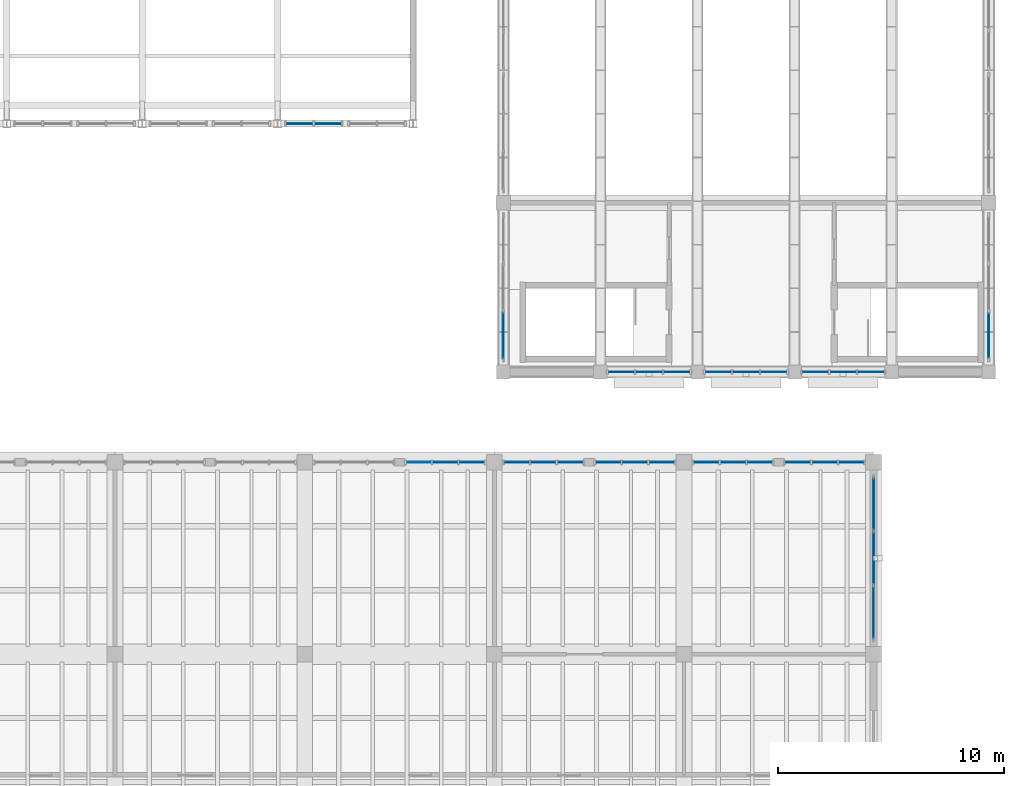
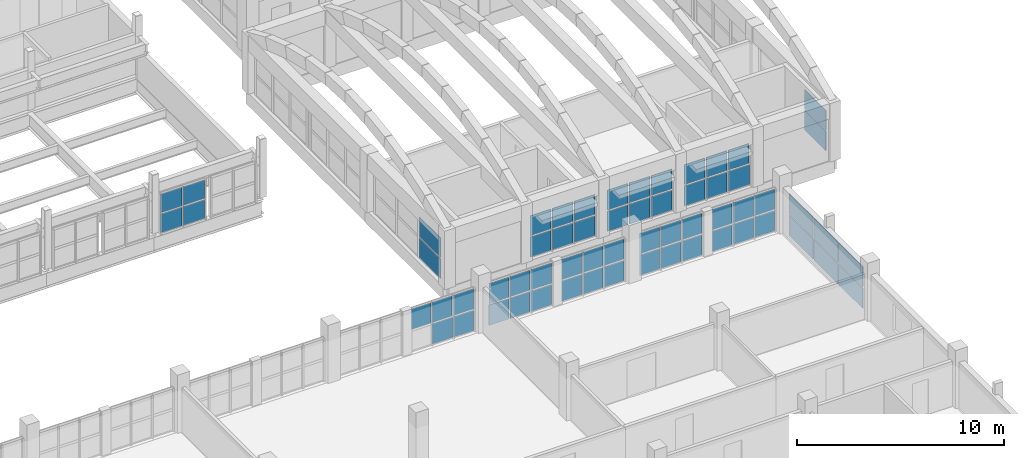
# One storey, part 54 of 77: 61 plates, 12 elements without a shape of their own.
"""IFC4 building model written with IfcOpenShell, lengths in metres."""

import ifcopenshell
import ifcopenshell.guid

model = None  # the IFC model being written
_history = None  # IfcOwnerHistory: only IFC2X3 demands one
_inside = {}  # id of a spatial element -> (the spatial element, [elements in it])
_under = {}  # id of a project, library or spatial element -> (it, [spatial elements below it])
_declared = {}  # id of a project -> (the project, [libraries it declares])
_typed = {}  # id of a type object -> (the type object, [elements of that type])
_made_of = {}  # id of a material, layer set ... -> (it, [elements and type objects made of it])


def new_model(schema):
    """Start an empty IFC model of exactly this schema.

    Asked for "IFC4X3", IfcOpenShell would pick the latest addendum, in which some entities
    have other attributes; the version numbers below select the first issue.
    IFC2X3 requires an IfcOwnerHistory on every rooted entity: one is made here for all.
    """
    global model, _history
    if schema == "IFC4X3":
        model = ifcopenshell.file(schema_version=(4, 3, 0, 0))
    else:
        model = ifcopenshell.file(schema=schema)
    _inside.clear()
    _under.clear()
    _declared.clear()
    _typed.clear()
    _made_of.clear()
    _history = None
    if model.schema == "IFC2X3":
        org = make("IfcOrganization", Name="unknown")
        user = make(
            "IfcPersonAndOrganization",
            ThePerson=make("IfcPerson", FamilyName="unknown"),
            TheOrganization=org,
        )
        app = make(
            "IfcApplication",
            ApplicationDeveloper=org,
            Version="unknown",
            ApplicationFullName="unknown",
            ApplicationIdentifier="unknown",
        )
        _history = make(
            "IfcOwnerHistory",
            OwningUser=user,
            OwningApplication=app,
            ChangeAction="ADDED",
            CreationDate=0,
        )
    return model


def make(cls, **values):
    """One entity of the class cls with the attributes given. An attribute that is None is left unset."""
    return model.create_entity(
        cls, **{name: value for name, value in values.items() if value is not None}
    )


def rooted(cls, **values):
    """An entity with a GlobalId (a new one), such as an element, a storey or a relation."""
    return make(cls, GlobalId=ifcopenshell.guid.new(), OwnerHistory=_history, **values)


def si_unit(unit_type, name, prefix=None):
    """IfcSIUnit, for example si_unit("LENGTHUNIT", "METRE", prefix="MILLI")."""
    return make("IfcSIUnit", UnitType=unit_type, Prefix=prefix, Name=name)


def assignment(units):
    """IfcUnitAssignment: the units of a project."""
    return None if units is None else make("IfcUnitAssignment", Units=units)


def point(xyz):
    """IfcCartesianPoint."""
    return None if xyz is None else make("IfcCartesianPoint", Coordinates=xyz)


def direction(xyz):
    """IfcDirection."""
    return None if xyz is None else make("IfcDirection", DirectionRatios=xyz)


def frame(location, z_axis=None, x_axis=None):
    """IfcAxis2Placement3D, a coordinate frame: its origin and axes. An axis left out is left unset."""
    return make(
        "IfcAxis2Placement3D",
        Location=point(location),
        Axis=direction(z_axis),
        RefDirection=direction(x_axis),
    )


def frame_2d(location, x_axis=None):
    """IfcAxis2Placement2D, a coordinate frame in the plane: its origin and x axis."""
    return make(
        "IfcAxis2Placement2D", Location=point(location), RefDirection=direction(x_axis)
    )


def origin():
    """The frame at (0, 0, 0) with its axes left unset."""
    return frame((0.0, 0.0, 0.0))


def origin_2d():
    """The frame at (0, 0) in the plane with its x axis left unset."""
    return frame_2d((0.0, 0.0))


def place(relative_to, where):
    """IfcLocalPlacement: puts the frame where relative to a parent placement (None: the world)."""
    return make(
        "IfcLocalPlacement", PlacementRelTo=relative_to, RelativePlacement=where
    )


def context(
    kind, dimensions, precision=None, world=None, true_north=None, identifier=None
):
    """IfcGeometricRepresentationContext, for example the 3D "Model" context."""
    return make(
        "IfcGeometricRepresentationContext",
        ContextIdentifier=identifier,
        ContextType=kind,
        CoordinateSpaceDimension=dimensions,
        Precision=precision,
        WorldCoordinateSystem=world,
        TrueNorth=true_north,
    )


def subcontext(parent, identifier, kind, view, scale=None):
    """IfcGeometricRepresentationSubContext, for example "Body" below "Model"."""
    return make(
        "IfcGeometricRepresentationSubContext",
        ContextIdentifier=identifier,
        ContextType=kind,
        ParentContext=parent,
        TargetScale=scale,
        TargetView=view,
    )


def project(units=None, contexts=None):
    """IfcProject with its units and contexts."""
    return rooted(
        "IfcProject",
        Name="project",
        RepresentationContexts=contexts,
        UnitsInContext=assignment(units),
    )


def spatial(cls, under=None, at=None, **own):
    """A site, building, storey or space (cls), placed at a placement, below another one or the project."""
    s = rooted(cls, ObjectPlacement=at, **own)
    if under is not None:
        _under.setdefault(under.id(), (under, []))[1].append(s)
    return s


def profile(cls, at=None, kind="AREA", **sizes):
    """A parametric profile (cls). Its sizes go by their IFC names, for example OverallWidth=200.0."""
    return make(cls, ProfileType=kind, Position=at, **sizes)


def rectangle(**sizes):
    """IfcRectangleProfileDef."""
    return profile("IfcRectangleProfileDef", **sizes)


def extrude(swept, where, along, depth):
    """IfcExtrudedAreaSolid: the profile swept, set in the frame where, extruded along a direction by depth."""
    return make(
        "IfcExtrudedAreaSolid",
        SweptArea=swept,
        Position=where,
        ExtrudedDirection=direction(along),
        Depth=depth,
    )


def shape(context_of_items, identifier, shape_type, items):
    """IfcShapeRepresentation: the items that make up one representation, for example the "Body"."""
    return make(
        "IfcShapeRepresentation",
        ContextOfItems=context_of_items,
        RepresentationIdentifier=identifier,
        RepresentationType=shape_type,
        Items=items,
    )


def material(Name=None, Category=None):
    """IfcMaterial."""
    return make("IfcMaterial", Name=Name, Category=Category)


def layer(
    of_material, thickness, ventilated=None, Name=None, Category=None, Priority=None
):
    """IfcMaterialLayer: one layer of a wall or slab, of a material (None: an air gap)."""
    return make(
        "IfcMaterialLayer",
        Material=of_material,
        LayerThickness=thickness,
        IsVentilated=ventilated,
        Name=Name,
        Category=Category,
        Priority=Priority,
    )


def layer_set(layers, Name=None):
    """IfcMaterialLayerSet."""
    return make("IfcMaterialLayerSet", MaterialLayers=layers, LayerSetName=Name)


def made_of(thing, what):
    """Note that an element or type object is made of a material, layer set ...; save() writes the relation."""
    if what is not None:
        _made_of.setdefault(what.id(), (what, []))[1].append(thing)
    return thing


def type_object(cls, material=None, **own):
    """A type object (cls), such as IfcWallType, which elements share."""
    return made_of(rooted(cls, **own), material)


def element(
    cls,
    number,
    at=None,
    inside=None,
    cuts=None,
    type_object=None,
    material=None,
    context=None,
    identifier="Body",
    shape_type=None,
    held_by="IfcProductDefinitionShape",
    body=None,
    shapes=None,
    **own,
):
    """One element of the class cls, such as IfcWall. Its Tag is "e" and its number.

    at: its placement. inside: the storey or other place that contains it. cuts: it is an
    opening in that element (IfcRelVoidsElement). A single representation is given by context,
    identifier, shape_type and body (its items); several are given by shapes. held_by: the class
    of the entity that holds the representations. save() writes the other relations.
    """
    e = rooted(cls, Tag="e%d" % number, ObjectPlacement=at, **own)
    if body is not None:
        shapes = [shape(context, identifier, shape_type, body)]
    if shapes is not None:
        e.Representation = make(held_by, Representations=shapes)
    if inside is not None:
        _inside.setdefault(inside.id(), (inside, []))[1].append(e)
    if cuts is not None:
        rooted(
            "IfcRelVoidsElement", RelatingBuildingElement=cuts, RelatedOpeningElement=e
        )
    if type_object is not None:
        _typed.setdefault(type_object.id(), (type_object, []))[1].append(e)
    return made_of(e, material)


def aggregate(whole, parts):
    """IfcRelAggregates: a whole, such as a stair, and the parts it consists of."""
    return rooted("IfcRelAggregates", RelatingObject=whole, RelatedObjects=parts)


def save(model, path):
    """Write the relations noted so far, then the file.

    IfcRelAggregates (storeys below a building ...), IfcRelContainedInSpatialStructure (elements
    in a storey), IfcRelDefinesByType, IfcRelAssociatesMaterial and IfcRelDeclares: one each for
    every whole, place, type object, material and project.
    """
    for whole, parts in _under.values():
        aggregate(whole, parts)
    for where, things in _inside.values():
        rooted(
            "IfcRelContainedInSpatialStructure",
            RelatedElements=things,
            RelatingStructure=where,
        )
    for kind, things in _typed.values():
        rooted("IfcRelDefinesByType", RelatedObjects=things, RelatingType=kind)
    for what, things in _made_of.values():
        rooted("IfcRelAssociatesMaterial", RelatedObjects=things, RelatingMaterial=what)
    for by, libraries in _declared.values():
        rooted("IfcRelDeclares", RelatingContext=by, RelatedDefinitions=libraries)
    model.write(path)


model = new_model("IFC4")

# Units and contexts
model_context = context("Model", 3, precision=1e-05, world=origin(), true_north=direction((0.0, 1.0)))
body_context = subcontext(model_context, "Body", "Model", "MODEL_VIEW")
ifc_project = project(units=[si_unit("LENGTHUNIT", "METRE"), si_unit("AREAUNIT", "SQUARE_METRE"), si_unit("VOLUMEUNIT", "CUBIC_METRE"), si_unit("PLANEANGLEUNIT", "RADIAN"), si_unit("MASSUNIT", "GRAM", prefix="KILO")], contexts=[model_context])

# Site, building, storey
site_placement = place(None, origin())
site = spatial("IfcSite", under=ifc_project, at=site_placement, CompositionType="ELEMENT")
building_placement = place(site_placement, origin())
building = spatial("IfcBuilding", under=site, at=building_placement, Name="Trellovar Central Fire Station", CompositionType="ELEMENT")
storey_placement = place(building_placement, frame((0.0, 0.0, 5.85009765625)))
storey = spatial("IfcBuildingStorey", under=building, at=storey_placement, Name="L02", CompositionType="ELEMENT", Elevation=5.85009765625)

# Curtain wall, plate
ifc_material_1 = material(Name="Thermally broken bronze anodized aluminum", Category="aluminium")
ifc_layer_1 = layer(ifc_material_1, 0.159912109375)
ifc_layer_set_1 = layer_set([ifc_layer_1], Name="Thermally broken bronze anodized aluminum")
curtain_wall_type_1 = type_object("IfcCurtainWallType", Name="CW-09", PredefinedType="NOTDEFINED", material=ifc_layer_set_1)
curtain_wall_1_placement = place(storey_placement, origin())
curtain_wall_1 = element("IfcCurtainWall", 1, at=curtain_wall_1_placement, inside=storey, type_object=curtain_wall_type_1, Name="L02 curtain wall CW-9", PredefinedType="NOTDEFINED")
ifc_material_2 = material(Name="Double low-E solar control insulated glazing", Category="glass")
ifc_layer_2 = layer(ifc_material_2, 0.031982421875)
ifc_layer_set_2 = layer_set([ifc_layer_2], Name="Double low-E solar control insulated glazing")
plate_type_1 = type_object("IfcPlateType", Name="CWP-GL1", PredefinedType="CURTAIN_PANEL", material=ifc_layer_set_2)
plate_1_placement = place(storey_placement, frame((135.74169921875, 33.0, 1.31494140625), z_axis=(0.0, 0.0, 1.0), x_axis=(-1.0, 0.0, 0.0)))
plate_1 = element("IfcPlate", 2, at=plate_1_placement, type_object=plate_type_1, Name="CW3-L02-0065 panel 3-2", PredefinedType="CURTAIN_PANEL", context=body_context, shape_type="SweptSolid", body=[
    extrude(rectangle(XDim=1.103271484375, YDim=0.031982421875, at=origin_2d()), origin(), (0.0, 0.0, 1.0), 1.195068359375),
])

curtain_wall_2_placement = place(storey_placement, origin())
curtain_wall_2 = element("IfcCurtainWall", 3, at=curtain_wall_2_placement, inside=storey, type_object=curtain_wall_type_1, Name="L02 curtain wall CW-9", PredefinedType="NOTDEFINED")
plate_2_placement = place(storey_placement, frame((146.50830078125, 33.0, 1.31494140625), z_axis=(0.0, 0.0, 1.0), x_axis=(-1.0, 0.0, 0.0)))
plate_2 = element("IfcPlate", 4, at=plate_2_placement, type_object=plate_type_1, Name="CW3-L02-0067 panel 1-2", PredefinedType="CURTAIN_PANEL", context=body_context, shape_type="SweptSolid", body=[
    extrude(rectangle(XDim=1.103271484375, YDim=0.031982421875, at=origin_2d()), origin(), (0.0, 0.0, 1.0), 1.195068359375),
])

curtain_wall_3_placement = place(storey_placement, origin())
curtain_wall_3 = element("IfcCurtainWall", 5, at=curtain_wall_3_placement, inside=storey, type_object=curtain_wall_type_1, Name="L02 curtain wall CW-9", PredefinedType="NOTDEFINED")
plate_3_placement = place(storey_placement, frame((152.541748046875, 33.0, 1.31494140625), z_axis=(0.0, 0.0, 1.0), x_axis=(-1.0, 0.0, 0.0)))
plate_3 = element("IfcPlate", 6, at=plate_3_placement, type_object=plate_type_1, Name="CW3-L02-0069 panel 3-2", PredefinedType="CURTAIN_PANEL", context=body_context, shape_type="SweptSolid", body=[
    extrude(rectangle(XDim=1.103271484375, YDim=0.031982421875, at=origin_2d()), origin(), (0.0, 0.0, 1.0), 1.195068359375),
])

ifc_material_3 = material(Name="Thermally broken bronze anodized aluminum", Category="aluminium")
ifc_layer_3 = layer(ifc_material_3, 0.159912109375)
ifc_layer_set_3 = layer_set([ifc_layer_3], Name="Thermally broken bronze anodized aluminum")
curtain_wall_type_2 = type_object("IfcCurtainWallType", Name="CW-10", PredefinedType="NOTDEFINED", material=ifc_layer_set_3)
curtain_wall_4_placement = place(storey_placement, origin())
curtain_wall_4 = element("IfcCurtainWall", 7, at=curtain_wall_4_placement, inside=storey, type_object=curtain_wall_type_2, Name="L02 curtain wall CW-10", PredefinedType="NOTDEFINED")
plate_4_placement = place(storey_placement, frame((149.675048828125, 33.0, 1.31494140625), z_axis=(0.0, 0.0, 1.0), x_axis=(-1.0, 0.0, 0.0)))
plate_4 = element("IfcPlate", 8, at=plate_4_placement, type_object=plate_type_1, Name="CW3-L02-0070 panel 2-2", PredefinedType="CURTAIN_PANEL", context=body_context, shape_type="SweptSolid", body=[
    extrude(rectangle(XDim=1.103515625, YDim=0.031982421875, at=origin_2d()), origin(), (0.0, 0.0, 1.0), 1.195068359375),
])

ifc_material_4 = material(Name="Thermally broken bronze anodized aluminum", Category="aluminium")
ifc_layer_4 = layer(ifc_material_4, 0.159912109375)
ifc_layer_set_4 = layer_set([ifc_layer_4], Name="Thermally broken bronze anodized aluminum")
curtain_wall_type_3 = type_object("IfcCurtainWallType", Name="CW-01", PredefinedType="NOTDEFINED", material=ifc_layer_set_4)
curtain_wall_5_placement = place(storey_placement, origin())
curtain_wall_5 = element("IfcCurtainWall", 9, at=curtain_wall_5_placement, inside=storey, type_object=curtain_wall_type_3, Name="L02 curtain wall CW-1", PredefinedType="NOTDEFINED")
plate_5_placement = place(storey_placement, frame((155.89990234375, 26.35009765625, 1.31494140625), z_axis=(0.0, 0.0, 1.0), x_axis=(0.0, 1.0, 0.0)))
plate_5 = element("IfcPlate", 10, at=plate_5_placement, type_object=plate_type_1, Name="CW3-L02-0075 panel 1-2", PredefinedType="CURTAIN_PANEL", context=body_context, shape_type="SweptSolid", body=[
    extrude(rectangle(XDim=2.320068359375, YDim=0.031982421875, at=origin_2d()), origin(), (0.0, 0.0, 1.0), 1.195068359375),
])

ifc_material_5 = material(Name="Thermally broken bronze anodized aluminum", Category="aluminium")
ifc_layer_5 = layer(ifc_material_5, 0.159912109375)
ifc_layer_set_5 = layer_set([ifc_layer_5], Name="Thermally broken bronze anodized aluminum")
curtain_wall_type_4 = type_object("IfcCurtainWallType", Name="CW-07", PredefinedType="NOTDEFINED", material=ifc_layer_set_5)
curtain_wall_6_placement = place(storey_placement, origin())
curtain_wall_6 = element("IfcCurtainWall", 11, at=curtain_wall_6_placement, inside=storey, type_object=curtain_wall_type_4, Name="L02 curtain wall CW-7", PredefinedType="NOTDEFINED")
plate_6_placement = place(storey_placement, frame((151.4833984375, 37.0, 1.2900390625), z_axis=(0.0, 0.0, 1.0), x_axis=(1.0, 0.0, 0.0)))
plate_6 = element("IfcPlate", 12, at=plate_6_placement, type_object=plate_type_1, Name="CW3-L02-0145 panel 3-2", PredefinedType="CURTAIN_PANEL", context=body_context, shape_type="SweptSolid", body=[
    extrude(rectangle(XDim=1.1533203125, YDim=0.031982421875, at=origin_2d()), origin(), (0.0, 0.0, 1.0), 1.169921875),
])

curtain_wall_7_placement = place(storey_placement, origin())
curtain_wall_7 = element("IfcCurtainWall", 13, at=curtain_wall_7_placement, inside=storey, type_object=curtain_wall_type_4, Name="L02 curtain wall CW-7", PredefinedType="NOTDEFINED")
plate_7_placement = place(storey_placement, frame((153.316650390625, 37.0, 1.2900390625), z_axis=(0.0, 0.0, 1.0), x_axis=(1.0, 0.0, 0.0)))
plate_7 = element("IfcPlate", 14, at=plate_7_placement, type_object=plate_type_1, Name="CW3-L02-0147 panel 1-2", PredefinedType="CURTAIN_PANEL", context=body_context, shape_type="SweptSolid", body=[
    extrude(rectangle(XDim=1.1533203125, YDim=0.031982421875, at=origin_2d()), origin(), (0.0, 0.0, 1.0), 1.169921875),
])

ifc_material_6 = material(Name="Thermally broken bronze anodized aluminum", Category="aluminium")
ifc_layer_6 = layer(ifc_material_6, 0.159912109375)
ifc_layer_set_6 = layer_set([ifc_layer_6], Name="Thermally broken bronze anodized aluminum")
curtain_wall_type_5 = type_object("IfcCurtainWallType", Name="CW-12", PredefinedType="NOTDEFINED", material=ifc_layer_set_6)
curtain_wall_8_placement = place(storey_placement, origin())
curtain_wall_8 = element("IfcCurtainWall", 15, at=curtain_wall_8_placement, inside=storey, type_object=curtain_wall_type_5, Name="V3 L02 E gallery CW", PredefinedType="NOTDEFINED")
plate_8_placement = place(storey_placement, frame((161.0, 38.61669921875, 1.264892578125), z_axis=(0.0, 0.0, 1.0), x_axis=(0.0, 1.0, 0.0)))
plate_8 = element("IfcPlate", 16, at=plate_8_placement, type_object=plate_type_1, Name="CW3-L02-0151 panel 1-2", PredefinedType="CURTAIN_PANEL", context=body_context, shape_type="SweptSolid", body=[
    extrude(rectangle(XDim=2.05322265625, YDim=0.031982421875, at=origin_2d()), origin(), (0.0, 0.0, 1.0), 1.14501953125),
])

# Plate
ifc_material_7 = material(Name="Double low-E solar control insulated glazing", Category="glass")
ifc_layer_7 = layer(ifc_material_7, 0.035888671875)
ifc_layer_set_7 = layer_set([ifc_layer_7], Name="Double low-E solar control insulated glazing")
plate_type_2 = type_object("IfcPlateType", Name="CWP-GL2", PredefinedType="CURTAIN_PANEL", material=ifc_layer_set_7)
plate_9_placement = place(storey_placement, frame((145.324951171875, 33.0, 1.31494140625), z_axis=(0.0, 0.0, 1.0), x_axis=(-1.0, 0.0, 0.0)))
plate_9 = element("IfcPlate", 17, at=plate_9_placement, type_object=plate_type_2, Name="CW3-L02-0067 panel 2-2", PredefinedType="CURTAIN_PANEL", context=body_context, shape_type="SweptSolid", body=[
    extrude(rectangle(XDim=1.103515625, YDim=0.035888671875, at=origin_2d()), origin(), (0.0, 0.0, 1.0), 1.195068359375),
])

# Curtain wall, plate
curtain_wall_9_placement = place(storey_placement, origin())
curtain_wall_9 = element("IfcCurtainWall", 18, at=curtain_wall_9_placement, inside=storey, type_object=curtain_wall_type_2, Name="L02 curtain wall CW-10", PredefinedType="NOTDEFINED")
plate_10_placement = place(storey_placement, frame((142.45849609375, 33.0, 1.31494140625), z_axis=(0.0, 0.0, 1.0), x_axis=(-1.0, 0.0, 0.0)))
plate_10 = element("IfcPlate", 19, at=plate_10_placement, type_object=plate_type_2, Name="CW3-L02-0068 panel 1-2", PredefinedType="CURTAIN_PANEL", context=body_context, shape_type="SweptSolid", body=[
    extrude(rectangle(XDim=1.103271484375, YDim=0.035888671875, at=origin_2d()), origin(), (0.0, 0.0, 1.0), 1.195068359375),
])

# Plate
plate_11_placement = place(storey_placement, frame((148.49169921875, 33.0, 1.31494140625), z_axis=(0.0, 0.0, 1.0), x_axis=(-1.0, 0.0, 0.0)))
plate_11 = element("IfcPlate", 20, at=plate_11_placement, type_object=plate_type_2, Name="CW3-L02-0070 panel 3-2", PredefinedType="CURTAIN_PANEL", context=body_context, shape_type="SweptSolid", body=[
    extrude(rectangle(XDim=1.103271484375, YDim=0.035888671875, at=origin_2d()), origin(), (0.0, 0.0, 1.0), 1.195068359375),
])

plate_12_placement = place(storey_placement, frame((155.89990234375, 28.75, 1.31494140625), z_axis=(0.0, 0.0, 1.0), x_axis=(0.0, 1.0, 0.0)))
plate_12 = element("IfcPlate", 21, at=plate_12_placement, type_object=plate_type_2, Name="CW3-L02-0075 panel 2-2", PredefinedType="CURTAIN_PANEL", context=body_context, shape_type="SweptSolid", body=[
    extrude(rectangle(XDim=2.320068359375, YDim=0.035888671875, at=origin_2d()), origin(), (0.0, 0.0, 1.0), 1.195068359375),
])

# Curtain wall, plate
ifc_material_8 = material(Name="Thermally broken bronze anodized aluminum", Category="aluminium")
ifc_layer_8 = layer(ifc_material_8, 0.159912109375)
ifc_layer_set_8 = layer_set([ifc_layer_8], Name="Thermally broken bronze anodized aluminum")
curtain_wall_type_6 = type_object("IfcCurtainWallType", Name="CW-08", PredefinedType="NOTDEFINED", material=ifc_layer_set_8)
curtain_wall_10_placement = place(storey_placement, origin())
curtain_wall_10 = element("IfcCurtainWall", 22, at=curtain_wall_10_placement, inside=storey, type_object=curtain_wall_type_6, Name="V6 workshop upper clerestory 5A", PredefinedType="NOTDEFINED")
plate_13_placement = place(storey_placement, frame((130.47509765625, 48.0, 0.96484375), z_axis=(0.0, 0.0, 1.0), x_axis=(1.0, 0.0, 0.0)))
plate_13 = element("IfcPlate", 23, at=plate_13_placement, type_object=plate_type_2, Name="CW3-L02-0136 panel 1-2", PredefinedType="CURTAIN_PANEL", context=body_context, shape_type="SweptSolid", body=[
    extrude(rectangle(XDim=1.169921875, YDim=0.035888671875, at=origin_2d()), origin(), (0.0, 0.0, 1.0), 1.094970703125),
])

curtain_wall_11_placement = place(storey_placement, origin())
curtain_wall_11 = element("IfcCurtainWall", 24, at=curtain_wall_11_placement, inside=storey, type_object=curtain_wall_type_4, Name="L02 curtain wall CW-7", PredefinedType="NOTDEFINED")
plate_14_placement = place(storey_placement, frame((144.716796875, 37.0, 1.2900390625), z_axis=(0.0, 0.0, 1.0), x_axis=(1.0, 0.0, 0.0)))
plate_14 = element("IfcPlate", 25, at=plate_14_placement, type_object=plate_type_2, Name="CW3-L02-0144 panel 1-2", PredefinedType="CURTAIN_PANEL", context=body_context, shape_type="SweptSolid", body=[
    extrude(rectangle(XDim=1.1533203125, YDim=0.035888671875, at=origin_2d()), origin(), (0.0, 0.0, 1.0), 1.169921875),
])

# Plate
plate_15_placement = place(storey_placement, frame((154.550048828125, 37.0, 1.2900390625), z_axis=(0.0, 0.0, 1.0), x_axis=(1.0, 0.0, 0.0)))
plate_15 = element("IfcPlate", 26, at=plate_15_placement, type_object=plate_type_2, Name="CW3-L02-0147 panel 2-2", PredefinedType="CURTAIN_PANEL", context=body_context, shape_type="SweptSolid", body=[
    extrude(rectangle(XDim=1.1533203125, YDim=0.035888671875, at=origin_2d()), origin(), (0.0, 0.0, 1.0), 1.169921875),
])

# Curtain wall, plate
curtain_wall_12_placement = place(storey_placement, origin())
curtain_wall_12 = element("IfcCurtainWall", 27, at=curtain_wall_12_placement, inside=storey, type_object=curtain_wall_type_5, Name="V3 L02 W gallery CW", PredefinedType="NOTDEFINED")
plate_16_placement = place(storey_placement, frame((139.5, 38.61669921875, 1.264892578125), z_axis=(0.0, 0.0, 1.0), x_axis=(0.0, 1.0, 0.0)))
plate_16 = element("IfcPlate", 28, at=plate_16_placement, type_object=plate_type_2, Name="CW3-L02-0148 panel 1-2", PredefinedType="CURTAIN_PANEL", context=body_context, shape_type="SweptSolid", body=[
    extrude(rectangle(XDim=2.05322265625, YDim=0.035888671875, at=origin_2d()), origin(), (0.0, 0.0, 1.0), 1.14501953125),
])

# Plate
ifc_material_9 = material(Name="Double low-E solar control insulated glazing", Category="glass")
ifc_layer_9 = layer(ifc_material_9, 0.033935546875)
ifc_layer_set_9 = layer_set([ifc_layer_9], Name="Double low-E solar control insulated glazing")
plate_type_3 = type_object("IfcPlateType", Name="CWP-GL3", PredefinedType="CURTAIN_PANEL", material=ifc_layer_set_9)
plate_17_placement = place(storey_placement, frame((138.1083984375, 33.0, 1.31494140625), z_axis=(0.0, 0.0, 1.0), x_axis=(-1.0, 0.0, 0.0)))
plate_17 = element("IfcPlate", 29, at=plate_17_placement, type_object=plate_type_3, Name="CW3-L02-0065 panel 1-2", PredefinedType="CURTAIN_PANEL", context=body_context, shape_type="SweptSolid", body=[
    extrude(rectangle(XDim=1.103271484375, YDim=0.033935546875, at=origin_2d()), origin(), (0.0, 0.0, 1.0), 1.195068359375),
])

plate_18_placement = place(storey_placement, frame((144.1416015625, 33.0, 1.31494140625), z_axis=(0.0, 0.0, 1.0), x_axis=(-1.0, 0.0, 0.0)))
plate_18 = element("IfcPlate", 30, at=plate_18_placement, type_object=plate_type_3, Name="CW3-L02-0067 panel 3-2", PredefinedType="CURTAIN_PANEL", context=body_context, shape_type="SweptSolid", body=[
    extrude(rectangle(XDim=1.103271484375, YDim=0.033935546875, at=origin_2d()), origin(), (0.0, 0.0, 1.0), 1.195068359375),
])

plate_19_placement = place(storey_placement, frame((141.27490234375, 33.0, 1.31494140625), z_axis=(0.0, 0.0, 1.0), x_axis=(-1.0, 0.0, 0.0)))
plate_19 = element("IfcPlate", 31, at=plate_19_placement, type_object=plate_type_3, Name="CW3-L02-0068 panel 2-2", PredefinedType="CURTAIN_PANEL", context=body_context, shape_type="SweptSolid", body=[
    extrude(rectangle(XDim=1.103515625, YDim=0.033935546875, at=origin_2d()), origin(), (0.0, 0.0, 1.0), 1.195068359375),
])

plate_20_placement = place(storey_placement, frame((154.908447265625, 33.0, 1.31494140625), z_axis=(0.0, 0.0, 1.0), x_axis=(-1.0, 0.0, 0.0)))
plate_20 = element("IfcPlate", 32, at=plate_20_placement, type_object=plate_type_3, Name="CW3-L02-0069 panel 1-2", PredefinedType="CURTAIN_PANEL", context=body_context, shape_type="SweptSolid", body=[
    extrude(rectangle(XDim=1.103271484375, YDim=0.033935546875, at=origin_2d()), origin(), (0.0, 0.0, 1.0), 1.195068359375),
])

plate_21_placement = place(storey_placement, frame((155.89990234375, 31.14990234375, 1.31494140625), z_axis=(0.0, 0.0, 1.0), x_axis=(0.0, 1.0, 0.0)))
plate_21 = element("IfcPlate", 33, at=plate_21_placement, type_object=plate_type_3, Name="CW3-L02-0075 panel 3-2", PredefinedType="CURTAIN_PANEL", context=body_context, shape_type="SweptSolid", body=[
    extrude(rectangle(XDim=2.320068359375, YDim=0.033935546875, at=origin_2d()), origin(), (0.0, 0.0, 1.0), 1.195068359375),
])

plate_22_placement = place(storey_placement, frame((131.72509765625, 48.0, 0.96484375), z_axis=(0.0, 0.0, 1.0), x_axis=(1.0, 0.0, 0.0)))
plate_22 = element("IfcPlate", 34, at=plate_22_placement, type_object=plate_type_3, Name="CW3-L02-0136 panel 2-2", PredefinedType="CURTAIN_PANEL", context=body_context, shape_type="SweptSolid", body=[
    extrude(rectangle(XDim=1.169921875, YDim=0.033935546875, at=origin_2d()), origin(), (0.0, 0.0, 1.0), 1.094970703125),
])

plate_23_placement = place(storey_placement, frame((145.949951171875, 37.0, 1.2900390625), z_axis=(0.0, 0.0, 1.0), x_axis=(1.0, 0.0, 0.0)))
plate_23 = element("IfcPlate", 35, at=plate_23_placement, type_object=plate_type_3, Name="CW3-L02-0144 panel 2-2", PredefinedType="CURTAIN_PANEL", context=body_context, shape_type="SweptSolid", body=[
    extrude(rectangle(XDim=1.1533203125, YDim=0.033935546875, at=origin_2d()), origin(), (0.0, 0.0, 1.0), 1.169921875),
])

plate_24_placement = place(storey_placement, frame((149.0166015625, 37.0, 1.2900390625), z_axis=(0.0, 0.0, 1.0), x_axis=(1.0, 0.0, 0.0)))
plate_24 = element("IfcPlate", 36, at=plate_24_placement, type_object=plate_type_3, Name="CW3-L02-0145 panel 1-2", PredefinedType="CURTAIN_PANEL", context=body_context, shape_type="SweptSolid", body=[
    extrude(rectangle(XDim=1.1533203125, YDim=0.033935546875, at=origin_2d()), origin(), (0.0, 0.0, 1.0), 1.169921875),
])

plate_25_placement = place(storey_placement, frame((155.783447265625, 37.0, 1.2900390625), z_axis=(0.0, 0.0, 1.0), x_axis=(1.0, 0.0, 0.0)))
plate_25 = element("IfcPlate", 37, at=plate_25_placement, type_object=plate_type_3, Name="CW3-L02-0147 panel 3-2", PredefinedType="CURTAIN_PANEL", context=body_context, shape_type="SweptSolid", body=[
    extrude(rectangle(XDim=1.1533203125, YDim=0.033935546875, at=origin_2d()), origin(), (0.0, 0.0, 1.0), 1.169921875),
])

ifc_material_10 = material(Name="Double low-E solar control insulated glazing", Category="glass")
ifc_layer_10 = layer(ifc_material_10, 0.030029296875)
ifc_layer_set_10 = layer_set([ifc_layer_10], Name="Double low-E solar control insulated glazing")
plate_type_4 = type_object("IfcPlateType", Name="CWP-GL4", PredefinedType="CURTAIN_PANEL", material=ifc_layer_set_10)
plate_26_placement = place(storey_placement, frame((136.925048828125, 33.0, 1.31494140625), z_axis=(0.0, 0.0, 1.0), x_axis=(-1.0, 0.0, 0.0)))
plate_26 = element("IfcPlate", 38, at=plate_26_placement, type_object=plate_type_4, Name="CW3-L02-0065 panel 2-2", PredefinedType="CURTAIN_PANEL", context=body_context, shape_type="SweptSolid", body=[
    extrude(rectangle(XDim=1.103515625, YDim=0.030029296875, at=origin_2d()), origin(), (0.0, 0.0, 1.0), 1.195068359375),
])

plate_27_placement = place(storey_placement, frame((140.091796875, 33.0, 1.31494140625), z_axis=(0.0, 0.0, 1.0), x_axis=(-1.0, 0.0, 0.0)))
plate_27 = element("IfcPlate", 39, at=plate_27_placement, type_object=plate_type_4, Name="CW3-L02-0068 panel 3-2", PredefinedType="CURTAIN_PANEL", context=body_context, shape_type="SweptSolid", body=[
    extrude(rectangle(XDim=1.103271484375, YDim=0.030029296875, at=origin_2d()), origin(), (0.0, 0.0, 1.0), 1.195068359375),
])

plate_28_placement = place(storey_placement, frame((153.72509765625, 33.0, 1.31494140625), z_axis=(0.0, 0.0, 1.0), x_axis=(-1.0, 0.0, 0.0)))
plate_28 = element("IfcPlate", 40, at=plate_28_placement, type_object=plate_type_4, Name="CW3-L02-0069 panel 2-2", PredefinedType="CURTAIN_PANEL", context=body_context, shape_type="SweptSolid", body=[
    extrude(rectangle(XDim=1.103515625, YDim=0.030029296875, at=origin_2d()), origin(), (0.0, 0.0, 1.0), 1.195068359375),
])

plate_29_placement = place(storey_placement, frame((150.8583984375, 33.0, 1.31494140625), z_axis=(0.0, 0.0, 1.0), x_axis=(-1.0, 0.0, 0.0)))
plate_29 = element("IfcPlate", 41, at=plate_29_placement, type_object=plate_type_4, Name="CW3-L02-0070 panel 1-2", PredefinedType="CURTAIN_PANEL", context=body_context, shape_type="SweptSolid", body=[
    extrude(rectangle(XDim=1.103271484375, YDim=0.030029296875, at=origin_2d()), origin(), (0.0, 0.0, 1.0), 1.195068359375),
])

plate_30_placement = place(storey_placement, frame((147.183349609375, 37.0, 1.2900390625), z_axis=(0.0, 0.0, 1.0), x_axis=(1.0, 0.0, 0.0)))
plate_30 = element("IfcPlate", 42, at=plate_30_placement, type_object=plate_type_4, Name="CW3-L02-0144 panel 3-2", PredefinedType="CURTAIN_PANEL", context=body_context, shape_type="SweptSolid", body=[
    extrude(rectangle(XDim=1.1533203125, YDim=0.030029296875, at=origin_2d()), origin(), (0.0, 0.0, 1.0), 1.169921875),
])

plate_31_placement = place(storey_placement, frame((150.25, 37.0, 1.2900390625), z_axis=(0.0, 0.0, 1.0), x_axis=(1.0, 0.0, 0.0)))
plate_31 = element("IfcPlate", 43, at=plate_31_placement, type_object=plate_type_4, Name="CW3-L02-0145 panel 2-2", PredefinedType="CURTAIN_PANEL", context=body_context, shape_type="SweptSolid", body=[
    extrude(rectangle(XDim=1.1533203125, YDim=0.030029296875, at=origin_2d()), origin(), (0.0, 0.0, 1.0), 1.169921875),
])

ifc_material_11 = material(Name="Glazed ceramic trencadis and terracotta panel", Category="masonry")
ifc_layer_11 = layer(ifc_material_11, 0.048095703125)
ifc_layer_set_11 = layer_set([ifc_layer_11], Name="Glazed ceramic trencadis and terracotta panel")
plate_type_5 = type_object("IfcPlateType", Name="CWP-SP1", PredefinedType="CURTAIN_PANEL", material=ifc_layer_set_11)
plate_32_placement = place(storey_placement, frame((136.925048828125, 33.0, 0.0400390625), z_axis=(0.0, 0.0, 1.0), x_axis=(-1.0, 0.0, 0.0)))
plate_32 = element("IfcPlate", 44, at=plate_32_placement, type_object=plate_type_5, Name="CW3-L02-0065 panel 2-1", PredefinedType="CURTAIN_PANEL", context=body_context, shape_type="SweptSolid", body=[
    extrude(rectangle(XDim=1.103515625, YDim=0.048095703125, at=origin_2d()), origin(), (0.0, 0.0, 1.0), 1.195068359375),
])

plate_33_placement = place(storey_placement, frame((145.324951171875, 33.0, 0.0400390625), z_axis=(0.0, 0.0, 1.0), x_axis=(-1.0, 0.0, 0.0)))
plate_33 = element("IfcPlate", 45, at=plate_33_placement, type_object=plate_type_5, Name="CW3-L02-0067 panel 2-1", PredefinedType="CURTAIN_PANEL", context=body_context, shape_type="SweptSolid", body=[
    extrude(rectangle(XDim=1.103515625, YDim=0.048095703125, at=origin_2d()), origin(), (0.0, 0.0, 1.0), 1.195068359375),
])

plate_34_placement = place(storey_placement, frame((142.45849609375, 33.0, 0.0400390625), z_axis=(0.0, 0.0, 1.0), x_axis=(-1.0, 0.0, 0.0)))
plate_34 = element("IfcPlate", 46, at=plate_34_placement, type_object=plate_type_5, Name="CW3-L02-0068 panel 1-1", PredefinedType="CURTAIN_PANEL", context=body_context, shape_type="SweptSolid", body=[
    extrude(rectangle(XDim=1.103271484375, YDim=0.048095703125, at=origin_2d()), origin(), (0.0, 0.0, 1.0), 1.195068359375),
])

plate_35_placement = place(storey_placement, frame((140.091796875, 33.0, 0.0400390625), z_axis=(0.0, 0.0, 1.0), x_axis=(-1.0, 0.0, 0.0)))
plate_35 = element("IfcPlate", 47, at=plate_35_placement, type_object=plate_type_5, Name="CW3-L02-0068 panel 3-1", PredefinedType="CURTAIN_PANEL", context=body_context, shape_type="SweptSolid", body=[
    extrude(rectangle(XDim=1.103271484375, YDim=0.048095703125, at=origin_2d()), origin(), (0.0, 0.0, 1.0), 1.195068359375),
])

plate_36_placement = place(storey_placement, frame((153.72509765625, 33.0, 0.0400390625), z_axis=(0.0, 0.0, 1.0), x_axis=(-1.0, 0.0, 0.0)))
plate_36 = element("IfcPlate", 48, at=plate_36_placement, type_object=plate_type_5, Name="CW3-L02-0069 panel 2-1", PredefinedType="CURTAIN_PANEL", context=body_context, shape_type="SweptSolid", body=[
    extrude(rectangle(XDim=1.103515625, YDim=0.048095703125, at=origin_2d()), origin(), (0.0, 0.0, 1.0), 1.195068359375),
])

plate_37_placement = place(storey_placement, frame((150.8583984375, 33.0, 0.0400390625), z_axis=(0.0, 0.0, 1.0), x_axis=(-1.0, 0.0, 0.0)))
plate_37 = element("IfcPlate", 49, at=plate_37_placement, type_object=plate_type_5, Name="CW3-L02-0070 panel 1-1", PredefinedType="CURTAIN_PANEL", context=body_context, shape_type="SweptSolid", body=[
    extrude(rectangle(XDim=1.103271484375, YDim=0.048095703125, at=origin_2d()), origin(), (0.0, 0.0, 1.0), 1.195068359375),
])

plate_38_placement = place(storey_placement, frame((148.49169921875, 33.0, 0.0400390625), z_axis=(0.0, 0.0, 1.0), x_axis=(-1.0, 0.0, 0.0)))
plate_38 = element("IfcPlate", 50, at=plate_38_placement, type_object=plate_type_5, Name="CW3-L02-0070 panel 3-1", PredefinedType="CURTAIN_PANEL", context=body_context, shape_type="SweptSolid", body=[
    extrude(rectangle(XDim=1.103271484375, YDim=0.048095703125, at=origin_2d()), origin(), (0.0, 0.0, 1.0), 1.195068359375),
])

plate_39_placement = place(storey_placement, frame((155.89990234375, 28.75, 0.0400390625), z_axis=(0.0, 0.0, 1.0), x_axis=(0.0, 1.0, 0.0)))
plate_39 = element("IfcPlate", 51, at=plate_39_placement, type_object=plate_type_5, Name="CW3-L02-0075 panel 2-1", PredefinedType="CURTAIN_PANEL", context=body_context, shape_type="SweptSolid", body=[
    extrude(rectangle(XDim=2.320068359375, YDim=0.048095703125, at=origin_2d()), origin(), (0.0, 0.0, 1.0), 1.195068359375),
])

plate_40_placement = place(storey_placement, frame((130.47509765625, 48.0, -0.2099609375), z_axis=(0.0, 0.0, 1.0), x_axis=(1.0, 0.0, 0.0)))
plate_40 = element("IfcPlate", 52, at=plate_40_placement, type_object=plate_type_5, Name="CW3-L02-0136 panel 1-1", PredefinedType="CURTAIN_PANEL", context=body_context, shape_type="SweptSolid", body=[
    extrude(rectangle(XDim=1.169921875, YDim=0.048095703125, at=origin_2d()), origin(), (0.0, 0.0, 1.0), 1.094970703125),
])

plate_41_placement = place(storey_placement, frame((144.716796875, 37.0, 0.0400390625), z_axis=(0.0, 0.0, 1.0), x_axis=(1.0, 0.0, 0.0)))
plate_41 = element("IfcPlate", 53, at=plate_41_placement, type_object=plate_type_5, Name="CW3-L02-0144 panel 1-1", PredefinedType="CURTAIN_PANEL", context=body_context, shape_type="SweptSolid", body=[
    extrude(rectangle(XDim=1.1533203125, YDim=0.048095703125, at=origin_2d()), origin(), (0.0, 0.0, 1.0), 1.169921875),
])

plate_42_placement = place(storey_placement, frame((147.183349609375, 37.0, 0.0400390625), z_axis=(0.0, 0.0, 1.0), x_axis=(1.0, 0.0, 0.0)))
plate_42 = element("IfcPlate", 54, at=plate_42_placement, type_object=plate_type_5, Name="CW3-L02-0144 panel 3-1", PredefinedType="CURTAIN_PANEL", context=body_context, shape_type="SweptSolid", body=[
    extrude(rectangle(XDim=1.1533203125, YDim=0.048095703125, at=origin_2d()), origin(), (0.0, 0.0, 1.0), 1.169921875),
])

plate_43_placement = place(storey_placement, frame((150.25, 37.0, 0.0400390625), z_axis=(0.0, 0.0, 1.0), x_axis=(1.0, 0.0, 0.0)))
plate_43 = element("IfcPlate", 55, at=plate_43_placement, type_object=plate_type_5, Name="CW3-L02-0145 panel 2-1", PredefinedType="CURTAIN_PANEL", context=body_context, shape_type="SweptSolid", body=[
    extrude(rectangle(XDim=1.1533203125, YDim=0.048095703125, at=origin_2d()), origin(), (0.0, 0.0, 1.0), 1.169921875),
])

plate_44_placement = place(storey_placement, frame((154.550048828125, 37.0, 0.0400390625), z_axis=(0.0, 0.0, 1.0), x_axis=(1.0, 0.0, 0.0)))
plate_44 = element("IfcPlate", 56, at=plate_44_placement, type_object=plate_type_5, Name="CW3-L02-0147 panel 2-1", PredefinedType="CURTAIN_PANEL", context=body_context, shape_type="SweptSolid", body=[
    extrude(rectangle(XDim=1.1533203125, YDim=0.048095703125, at=origin_2d()), origin(), (0.0, 0.0, 1.0), 1.169921875),
])

plate_45_placement = place(storey_placement, frame((139.5, 38.61669921875, 0.039794921875), z_axis=(0.0, 0.0, 1.0), x_axis=(0.0, 1.0, 0.0)))
plate_45 = element("IfcPlate", 57, at=plate_45_placement, type_object=plate_type_5, Name="CW3-L02-0148 panel 1-1", PredefinedType="CURTAIN_PANEL", context=body_context, shape_type="SweptSolid", body=[
    extrude(rectangle(XDim=2.05322265625, YDim=0.048095703125, at=origin_2d()), origin(), (0.0, 0.0, 1.0), 1.14501953125),
])

aggregate(curtain_wall_12, [plate_45, plate_16])

ifc_material_12 = material(Name="Glazed ceramic trencadis and terracotta panel", Category="masonry")
ifc_layer_12 = layer(ifc_material_12, 0.044921875)
ifc_layer_set_12 = layer_set([ifc_layer_12], Name="Glazed ceramic trencadis and terracotta panel")
plate_type_6 = type_object("IfcPlateType", Name="CWP-SP2", PredefinedType="CURTAIN_PANEL", material=ifc_layer_set_12)
plate_46_placement = place(storey_placement, frame((138.1083984375, 33.0, 0.0400390625), z_axis=(0.0, 0.0, 1.0), x_axis=(-1.0, 0.0, 0.0)))
plate_46 = element("IfcPlate", 58, at=plate_46_placement, type_object=plate_type_6, Name="CW3-L02-0065 panel 1-1", PredefinedType="CURTAIN_PANEL", context=body_context, shape_type="SweptSolid", body=[
    extrude(rectangle(XDim=1.103271484375, YDim=0.044921875, at=origin_2d()), origin(), (0.0, 0.0, 1.0), 1.195068359375),
])

aggregate(curtain_wall_1, [plate_46, plate_17, plate_32, plate_26, plate_1])

plate_47_placement = place(storey_placement, frame((146.50830078125, 33.0, 0.0400390625), z_axis=(0.0, 0.0, 1.0), x_axis=(-1.0, 0.0, 0.0)))
plate_47 = element("IfcPlate", 59, at=plate_47_placement, type_object=plate_type_6, Name="CW3-L02-0067 panel 1-1", PredefinedType="CURTAIN_PANEL", context=body_context, shape_type="SweptSolid", body=[
    extrude(rectangle(XDim=1.103271484375, YDim=0.044921875, at=origin_2d()), origin(), (0.0, 0.0, 1.0), 1.195068359375),
])

plate_48_placement = place(storey_placement, frame((144.1416015625, 33.0, 0.0400390625), z_axis=(0.0, 0.0, 1.0), x_axis=(-1.0, 0.0, 0.0)))
plate_48 = element("IfcPlate", 60, at=plate_48_placement, type_object=plate_type_6, Name="CW3-L02-0067 panel 3-1", PredefinedType="CURTAIN_PANEL", context=body_context, shape_type="SweptSolid", body=[
    extrude(rectangle(XDim=1.103271484375, YDim=0.044921875, at=origin_2d()), origin(), (0.0, 0.0, 1.0), 1.195068359375),
])

aggregate(curtain_wall_2, [plate_47, plate_2, plate_33, plate_9, plate_48, plate_18])

plate_49_placement = place(storey_placement, frame((141.27490234375, 33.0, 0.0400390625), z_axis=(0.0, 0.0, 1.0), x_axis=(-1.0, 0.0, 0.0)))
plate_49 = element("IfcPlate", 61, at=plate_49_placement, type_object=plate_type_6, Name="CW3-L02-0068 panel 2-1", PredefinedType="CURTAIN_PANEL", context=body_context, shape_type="SweptSolid", body=[
    extrude(rectangle(XDim=1.103515625, YDim=0.044921875, at=origin_2d()), origin(), (0.0, 0.0, 1.0), 1.195068359375),
])

aggregate(curtain_wall_9, [plate_34, plate_10, plate_49, plate_19, plate_35, plate_27])

plate_50_placement = place(storey_placement, frame((154.908447265625, 33.0, 0.0400390625), z_axis=(0.0, 0.0, 1.0), x_axis=(-1.0, 0.0, 0.0)))
plate_50 = element("IfcPlate", 62, at=plate_50_placement, type_object=plate_type_6, Name="CW3-L02-0069 panel 1-1", PredefinedType="CURTAIN_PANEL", context=body_context, shape_type="SweptSolid", body=[
    extrude(rectangle(XDim=1.103271484375, YDim=0.044921875, at=origin_2d()), origin(), (0.0, 0.0, 1.0), 1.195068359375),
])

plate_51_placement = place(storey_placement, frame((152.541748046875, 33.0, 0.0400390625), z_axis=(0.0, 0.0, 1.0), x_axis=(-1.0, 0.0, 0.0)))
plate_51 = element("IfcPlate", 63, at=plate_51_placement, type_object=plate_type_6, Name="CW3-L02-0069 panel 3-1", PredefinedType="CURTAIN_PANEL", context=body_context, shape_type="SweptSolid", body=[
    extrude(rectangle(XDim=1.103271484375, YDim=0.044921875, at=origin_2d()), origin(), (0.0, 0.0, 1.0), 1.195068359375),
])

aggregate(curtain_wall_3, [plate_50, plate_20, plate_36, plate_28, plate_51, plate_3])

plate_52_placement = place(storey_placement, frame((149.675048828125, 33.0, 0.0400390625), z_axis=(0.0, 0.0, 1.0), x_axis=(-1.0, 0.0, 0.0)))
plate_52 = element("IfcPlate", 64, at=plate_52_placement, type_object=plate_type_6, Name="CW3-L02-0070 panel 2-1", PredefinedType="CURTAIN_PANEL", context=body_context, shape_type="SweptSolid", body=[
    extrude(rectangle(XDim=1.103515625, YDim=0.044921875, at=origin_2d()), origin(), (0.0, 0.0, 1.0), 1.195068359375),
])

aggregate(curtain_wall_4, [plate_37, plate_29, plate_52, plate_4, plate_38, plate_11])

plate_53_placement = place(storey_placement, frame((155.89990234375, 26.35009765625, 0.0400390625), z_axis=(0.0, 0.0, 1.0), x_axis=(0.0, 1.0, 0.0)))
plate_53 = element("IfcPlate", 65, at=plate_53_placement, type_object=plate_type_6, Name="CW3-L02-0075 panel 1-1", PredefinedType="CURTAIN_PANEL", context=body_context, shape_type="SweptSolid", body=[
    extrude(rectangle(XDim=2.320068359375, YDim=0.044921875, at=origin_2d()), origin(), (0.0, 0.0, 1.0), 1.195068359375),
])

plate_54_placement = place(storey_placement, frame((155.89990234375, 31.14990234375, 0.0400390625), z_axis=(0.0, 0.0, 1.0), x_axis=(0.0, 1.0, 0.0)))
plate_54 = element("IfcPlate", 66, at=plate_54_placement, type_object=plate_type_6, Name="CW3-L02-0075 panel 3-1", PredefinedType="CURTAIN_PANEL", context=body_context, shape_type="SweptSolid", body=[
    extrude(rectangle(XDim=2.320068359375, YDim=0.044921875, at=origin_2d()), origin(), (0.0, 0.0, 1.0), 1.195068359375),
])

aggregate(curtain_wall_5, [plate_53, plate_5, plate_39, plate_12, plate_54, plate_21])

plate_55_placement = place(storey_placement, frame((131.72509765625, 48.0, -0.2099609375), z_axis=(0.0, 0.0, 1.0), x_axis=(1.0, 0.0, 0.0)))
plate_55 = element("IfcPlate", 67, at=plate_55_placement, type_object=plate_type_6, Name="CW3-L02-0136 panel 2-1", PredefinedType="CURTAIN_PANEL", context=body_context, shape_type="SweptSolid", body=[
    extrude(rectangle(XDim=1.169921875, YDim=0.044921875, at=origin_2d()), origin(), (0.0, 0.0, 1.0), 1.094970703125),
])

aggregate(curtain_wall_10, [plate_40, plate_13, plate_55, plate_22])

plate_56_placement = place(storey_placement, frame((145.949951171875, 37.0, 0.0400390625), z_axis=(0.0, 0.0, 1.0), x_axis=(1.0, 0.0, 0.0)))
plate_56 = element("IfcPlate", 68, at=plate_56_placement, type_object=plate_type_6, Name="CW3-L02-0144 panel 2-1", PredefinedType="CURTAIN_PANEL", context=body_context, shape_type="SweptSolid", body=[
    extrude(rectangle(XDim=1.1533203125, YDim=0.044921875, at=origin_2d()), origin(), (0.0, 0.0, 1.0), 1.169921875),
])

aggregate(curtain_wall_11, [plate_41, plate_14, plate_56, plate_23, plate_42, plate_30])

plate_57_placement = place(storey_placement, frame((149.0166015625, 37.0, 0.0400390625), z_axis=(0.0, 0.0, 1.0), x_axis=(1.0, 0.0, 0.0)))
plate_57 = element("IfcPlate", 69, at=plate_57_placement, type_object=plate_type_6, Name="CW3-L02-0145 panel 1-1", PredefinedType="CURTAIN_PANEL", context=body_context, shape_type="SweptSolid", body=[
    extrude(rectangle(XDim=1.1533203125, YDim=0.044921875, at=origin_2d()), origin(), (0.0, 0.0, 1.0), 1.169921875),
])

plate_58_placement = place(storey_placement, frame((151.4833984375, 37.0, 0.0400390625), z_axis=(0.0, 0.0, 1.0), x_axis=(1.0, 0.0, 0.0)))
plate_58 = element("IfcPlate", 70, at=plate_58_placement, type_object=plate_type_6, Name="CW3-L02-0145 panel 3-1", PredefinedType="CURTAIN_PANEL", context=body_context, shape_type="SweptSolid", body=[
    extrude(rectangle(XDim=1.1533203125, YDim=0.044921875, at=origin_2d()), origin(), (0.0, 0.0, 1.0), 1.169921875),
])

aggregate(curtain_wall_6, [plate_57, plate_24, plate_43, plate_31, plate_58, plate_6])

plate_59_placement = place(storey_placement, frame((153.316650390625, 37.0, 0.0400390625), z_axis=(0.0, 0.0, 1.0), x_axis=(1.0, 0.0, 0.0)))
plate_59 = element("IfcPlate", 71, at=plate_59_placement, type_object=plate_type_6, Name="CW3-L02-0147 panel 1-1", PredefinedType="CURTAIN_PANEL", context=body_context, shape_type="SweptSolid", body=[
    extrude(rectangle(XDim=1.1533203125, YDim=0.044921875, at=origin_2d()), origin(), (0.0, 0.0, 1.0), 1.169921875),
])

plate_60_placement = place(storey_placement, frame((155.783447265625, 37.0, 0.0400390625), z_axis=(0.0, 0.0, 1.0), x_axis=(1.0, 0.0, 0.0)))
plate_60 = element("IfcPlate", 72, at=plate_60_placement, type_object=plate_type_6, Name="CW3-L02-0147 panel 3-1", PredefinedType="CURTAIN_PANEL", context=body_context, shape_type="SweptSolid", body=[
    extrude(rectangle(XDim=1.1533203125, YDim=0.044921875, at=origin_2d()), origin(), (0.0, 0.0, 1.0), 1.169921875),
])

aggregate(curtain_wall_7, [plate_59, plate_7, plate_44, plate_15, plate_60, plate_25])

plate_61_placement = place(storey_placement, frame((161.0, 38.61669921875, 0.039794921875), z_axis=(0.0, 0.0, 1.0), x_axis=(0.0, 1.0, 0.0)))
plate_61 = element("IfcPlate", 73, at=plate_61_placement, type_object=plate_type_6, Name="CW3-L02-0151 panel 1-1", PredefinedType="CURTAIN_PANEL", context=body_context, shape_type="SweptSolid", body=[
    extrude(rectangle(XDim=2.05322265625, YDim=0.044921875, at=origin_2d()), origin(), (0.0, 0.0, 1.0), 1.14501953125),
])

aggregate(curtain_wall_8, [plate_61, plate_8])

save(model, "model.ifc")
